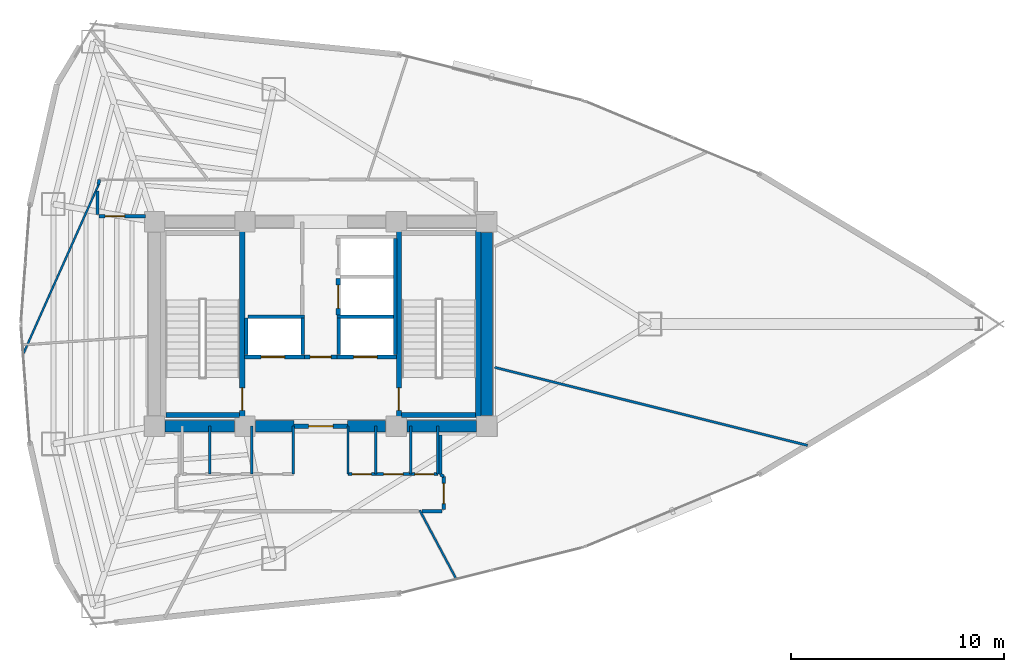
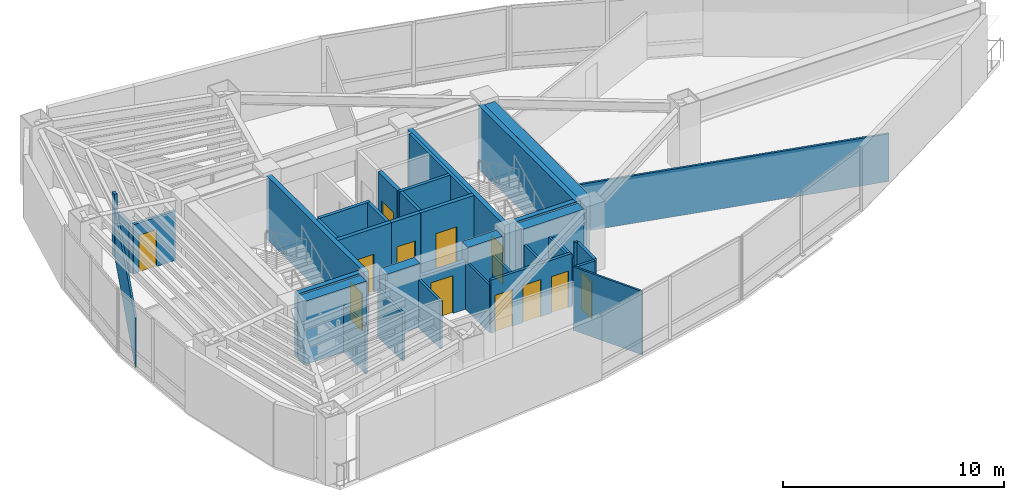
# One storey, part 14 of 18: 39 walls, 12 doors, 12 openings.
"""IFC4 building model written with IfcOpenShell, lengths in metres."""

from ifc_helpers import new_model, si_unit, direction, frame, frame_2d, origin, place, context, subcontext, project, spatial, rectangle, extrude, material, layer, layer_set, type_object, element, fill, save


model = new_model("IFC4")

# Units and contexts
model_context = context("Model", 3, precision=1e-05, world=origin(), true_north=direction((0.0, 1.0)))
body_context = subcontext(model_context, "Body", "Model", "MODEL_VIEW")
ifc_project = project(units=[si_unit("LENGTHUNIT", "METRE"), si_unit("AREAUNIT", "SQUARE_METRE"), si_unit("VOLUMEUNIT", "CUBIC_METRE"), si_unit("PLANEANGLEUNIT", "RADIAN"), si_unit("MASSUNIT", "GRAM", prefix="KILO")], contexts=[model_context])

# Site, building, storey
site_placement = place(None, origin())
site = spatial("IfcSite", under=ifc_project, at=site_placement, CompositionType="ELEMENT")
building_placement = place(site_placement, origin())
building = spatial("IfcBuilding", under=site, at=building_placement, Name="Menara Vayukalpa", CompositionType="ELEMENT")
storey_placement = place(building_placement, frame((0.0, 0.0, 161.760009765625)))
storey = spatial("IfcBuildingStorey", under=building, at=storey_placement, Name="L40", CompositionType="ELEMENT", Elevation=161.760009765625)

# Walls
ifc_material_1 = material(Name="Concrete C60/75", Category="concrete")
ifc_layer_1 = layer(ifc_material_1, 0.550048828125)
ifc_layer_set_1 = layer_set([ifc_layer_1], Name="Concrete C60/75")
wall_type_1 = type_object("IfcWallType", Name="WAL-CW550", PredefinedType="SHEAR", material=ifc_layer_set_1)
wall_1_placement = place(storey_placement, frame((18.294921875, 17.199951171875, 0.0), z_axis=(0.0, 0.0, 1.0), x_axis=(1.0, 0.0, 0.0)))
element("IfcWall", 1, at=wall_1_placement, inside=storey, type_object=wall_type_1, Name="L40 Buttressed Core Shear Wall CWS1", PredefinedType="SHEAR", context=body_context, shape_type="SweptSolid", body=[
    extrude(rectangle(XDim=3.260009765625, YDim=0.550048828125, at=frame_2d((1.6298828125, 0.0))), origin(), (0.0, 0.0, 1.0), 3.5),
])
wall_2_placement = place(storey_placement, frame((22.544921875, 17.199951171875, 0.0), z_axis=(0.0, 0.0, 1.0), x_axis=(1.0, 0.0, 0.0)))
element("IfcWall", 2, at=wall_2_placement, inside=storey, type_object=wall_type_1, Name="L40 Buttressed Core Shear Wall CWS2", PredefinedType="SHEAR", context=body_context, shape_type="SweptSolid", body=[
    extrude(rectangle(XDim=1.80517578125, YDim=0.550048828125, at=frame_2d((0.902587890625, 0.0))), origin(), (0.0, 0.0, 1.0), 3.5),
])
wall_3_placement = place(storey_placement, frame((26.85009765625, 17.199951171875, 0.0), z_axis=(0.0, 0.0, 1.0), x_axis=(1.0, 0.0, 0.0)))
element("IfcWall", 3, at=wall_3_placement, inside=storey, type_object=wall_type_1, Name="L40 Buttressed Core Shear Wall CWS3", PredefinedType="SHEAR", context=body_context, shape_type="SweptSolid", body=[
    extrude(rectangle(XDim=1.804931640625, YDim=0.550048828125, at=frame_2d((0.90234375, 0.0))), origin(), (0.0, 0.0, 1.0), 3.5),
])
wall_4_placement = place(storey_placement, frame((29.64501953125, 17.199951171875, 0.0), z_axis=(0.0, 0.0, 1.0), x_axis=(1.0, 0.0, 0.0)))
element("IfcWall", 4, at=wall_4_placement, inside=storey, type_object=wall_type_1, Name="L40 Buttressed Core Shear Wall CWS4", PredefinedType="SHEAR", context=body_context, shape_type="SweptSolid", body=[
    extrude(rectangle(XDim=3.260009765625, YDim=0.550048828125, at=frame_2d((1.6298828125, 0.0))), origin(), (0.0, 0.0, 1.0), 3.5),
])
wall_5_placement = place(storey_placement, frame((33.39990234375, 17.695068359375, 0.0), z_axis=(0.0, 0.0, 1.0), x_axis=(0.0, 1.0, 0.0)))
element("IfcWall", 5, at=wall_5_placement, inside=storey, type_object=wall_type_1, Name="L40 Buttressed Core Shear Wall CWE1", PredefinedType="SHEAR", context=body_context, shape_type="SweptSolid", body=[
    extrude(rectangle(XDim=8.60986328125, YDim=0.550048828125, at=frame_2d((4.304931640625, 0.0))), origin(), (0.0, 0.0, 1.0), 3.5),
])
ifc_material_2 = material(Name="Lightweight Concrete Blockwork C16/20", Category="masonry")
ifc_layer_2 = layer(ifc_material_2, 0.159912109375)
ifc_layer_set_2 = layer_set([ifc_layer_2], Name="Lightweight Concrete Blockwork C16/20")
wall_type_2 = type_object("IfcWallType", Name="WAL-FR150", PredefinedType="PARTITIONING", material=ifc_layer_set_2)
for number, where, z_axis, x_axis, name in (
    (6, (22.10498046875, 20.56005859375, 0.0), (0.0, 0.0, 1.0), (0.0, 1.0, 0.0), "L40 Interior Partition IW-L40-SHW-WW"),
    (7, (24.7548828125, 20.56005859375, 0.0), (0.0, 0.0, 1.0), (0.0, 1.0, 0.0), "L40 Interior Partition IW-L40-SHW-W1E"),
):
    element("IfcWall", number, at=place(storey_placement, frame(where, z_axis=z_axis, x_axis=x_axis)), inside=storey, type_object=wall_type_2, Name=name, PredefinedType="PARTITIONING", context=body_context, shape_type="SweptSolid", body=[
        extrude(rectangle(XDim=1.7099609375, YDim=0.159912109375, at=frame_2d((0.85498046875, 0.0))), origin(), (0.0, 0.0, 1.0), 3.5),
    ])
wall_6_placement = place(storey_placement, frame((22.179931640625, 22.344970703125, 0.0), z_axis=(0.0, 0.0, 1.0), x_axis=(1.0, 0.0, 0.0)))
element("IfcWall", 8, at=wall_6_placement, inside=storey, type_object=wall_type_2, Name="L40 Interior Partition IW-L40-SHM-W12", PredefinedType="PARTITIONING", context=body_context, shape_type="SweptSolid", body=[
    extrude(rectangle(XDim=2.650146484375, YDim=0.159912109375, at=frame_2d((1.3251953125, 0.0))), origin(), (0.0, 0.0, 1.0), 3.5),
])
wall_7_placement = place(storey_placement, frame((29.094970703125, 20.56005859375, 0.0), z_axis=(0.0, 0.0, 1.0), x_axis=(0.0, 1.0, 0.0)))
element("IfcWall", 9, at=wall_7_placement, inside=storey, type_object=wall_type_2, Name="L40 Interior Partition IW-L40-SHW-EE", PredefinedType="PARTITIONING", context=body_context, shape_type="SweptSolid", body=[
    extrude(rectangle(XDim=5.449951171875, YDim=0.159912109375, at=frame_2d((2.72509765625, 0.0))), origin(), (0.0, 0.0, 1.0), 3.5),
])
wall_8_placement = place(storey_placement, frame((26.445068359375, 20.56005859375, 0.0), z_axis=(0.0, 0.0, 1.0), x_axis=(0.0, 1.0, 0.0)))
element("IfcWall", 10, at=wall_8_placement, inside=storey, type_object=wall_type_2, Name="L40 Interior Partition IW-L40-SHW-E1W", PredefinedType="PARTITIONING", context=body_context, shape_type="SweptSolid", body=[
    extrude(rectangle(XDim=1.7099609375, YDim=0.159912109375, at=frame_2d((0.85498046875, 0.0))), origin(), (0.0, 0.0, 1.0), 3.5),
])
wall_9_placement = place(storey_placement, frame((26.3701171875, 22.344970703125, 0.0), z_axis=(0.0, 0.0, 1.0), x_axis=(1.0, 0.0, 0.0)))
element("IfcWall", 11, at=wall_9_placement, inside=storey, type_object=wall_type_2, Name="L40 Interior Partition IW-L40-SHM-E13", PredefinedType="PARTITIONING", context=body_context, shape_type="SweptSolid", body=[
    extrude(rectangle(XDim=2.64990234375, YDim=0.159912109375, at=frame_2d((1.324951171875, 0.0))), origin(), (0.0, 0.0, 1.0), 3.5),
])

# Wall, opening, door
ifc_material_3 = material(Name="Lightweight Concrete Blockwork C16/20", Category="masonry")
ifc_layer_3 = layer(ifc_material_3, 0.199951171875)
ifc_layer_set_3 = layer_set([ifc_layer_3], Name="Lightweight Concrete Blockwork C16/20")
wall_type_3 = type_object("IfcWallType", Name="WAL-FR200", PredefinedType="PARTITIONING", material=ifc_layer_set_3)
wall_10_placement = place(storey_placement, frame((24.35009765625, 17.199951171875, 0.0), z_axis=(0.0, 0.0, 1.0), x_axis=(1.0, 0.0, 0.0)))
wall_10 = element("IfcWall", 12, at=wall_10_placement, inside=storey, type_object=wall_type_3, Name="L40 Interior Partition IW-L40-FFLS", PredefinedType="PARTITIONING", context=body_context, shape_type="SweptSolid", body=[
    extrude(rectangle(XDim=2.5, YDim=0.199951171875, at=frame_2d((1.25, 0.0))), origin(), (0.0, 0.0, 1.0), 2.6298828125),
])
opening_1_placement = place(wall_10_placement, frame((0.679931640625, 0.0, 0.0)))
opening_1 = element("IfcOpeningElement", 13, at=opening_1_placement, cuts=wall_10, Name="Opening ID2", PredefinedType="OPENING", context=body_context, shape_type="SweptSolid", body=[
    extrude(rectangle(XDim=1.14990234375, YDim=2.080078125, at=frame_2d((0.574951171875, 1.0400390625))), frame((0.0, 0.10986328125, 0.0), z_axis=(0.0, -1.0, 0.0), x_axis=(1.0, 0.0, 0.0)), (0.0, 0.0, 1.0), 0.219970703125),
])
ifc_material_4 = material(Name="Fire-Rated Powder-Coated Steel Door", Category="steel")
door_type_1 = type_object("IfcDoorType", Name="DR-FD60W", OperationType="NOTDEFINED", PredefinedType="DOOR", material=ifc_material_4)
door_1_placement = place(opening_1_placement, origin())
door_1 = element("IfcDoor", 14, at=door_1_placement, inside=storey, type_object=door_type_1, Name="L40 Interior Door DR-L40-FFLS", OperationType="SINGLE_SWING_LEFT", OverallHeight=2.080078125, OverallWidth=1.14990234375, PredefinedType="DOOR", context=body_context, shape_type="SweptSolid", body=[
    extrude(rectangle(XDim=1.14990234375, YDim=2.080078125, at=frame_2d((0.574951171875, 1.0400390625))), frame((0.0, 0.02490234375, 0.0), z_axis=(0.0, -1.0, 0.0), x_axis=(1.0, 0.0, 0.0)), (0.0, 0.0, 1.0), 0.050048828125),
])
fill(opening_1, door_1)

wall_11_placement = place(storey_placement, frame((24.840087890625, 20.449951171875, 0.0), z_axis=(0.0, 0.0, 1.0), x_axis=(1.0, 0.0, 0.0)))
wall_11 = element("IfcWall", 15, at=wall_11_placement, inside=storey, type_object=wall_type_3, Name="L40 Interior Partition IW-L40-FFLN", PredefinedType="PARTITIONING", context=body_context, shape_type="SweptSolid", body=[
    extrude(rectangle(XDim=1.52001953125, YDim=0.199951171875, at=frame_2d((0.760009765625, 0.0))), origin(), (0.0, 0.0, 1.0), 3.5),
])
opening_2_placement = place(wall_11_placement, frame((0.27001953125, 0.0, 0.0)))
opening_2 = element("IfcOpeningElement", 16, at=opening_2_placement, cuts=wall_11, Name="Opening ID3", PredefinedType="OPENING", context=body_context, shape_type="SweptSolid", body=[
    extrude(rectangle(XDim=0.97998046875, YDim=2.06005859375, at=frame_2d((0.489990234375, 1.030029296875))), frame((0.0, 0.10986328125, 0.0), z_axis=(0.0, -1.0, 0.0), x_axis=(1.0, 0.0, 0.0)), (0.0, 0.0, 1.0), 0.219970703125),
])
ifc_material_5 = material(Name="Fire-Rated Powder-Coated Steel Door", Category="steel")
door_type_2 = type_object("IfcDoorType", Name="DR-FD60", OperationType="NOTDEFINED", PredefinedType="DOOR", material=ifc_material_5)
door_2_placement = place(opening_2_placement, origin())
door_2 = element("IfcDoor", 17, at=door_2_placement, inside=storey, type_object=door_type_2, Name="L40 Interior Door DR-L40-FFLN", OperationType="SINGLE_SWING_RIGHT", OverallHeight=2.06005859375, OverallWidth=0.97998046875, PredefinedType="DOOR", context=body_context, shape_type="SweptSolid", body=[
    extrude(rectangle(XDim=0.97998046875, YDim=2.06005859375, at=frame_2d((0.489990234375, 1.030029296875))), frame((0.0, 0.02490234375, 0.0), z_axis=(0.0, -1.0, 0.0), x_axis=(1.0, 0.0, 0.0)), (0.0, 0.0, 1.0), 0.050048828125),
])
fill(opening_2, door_2)

wall_12_placement = place(storey_placement, frame((22.030029296875, 20.449951171875, 0.0), z_axis=(0.0, 0.0, 1.0), x_axis=(1.0, 0.0, 0.0)))
wall_12 = element("IfcWall", 18, at=wall_12_placement, inside=storey, type_object=wall_type_3, Name="L40 Interior Partition IW-L40-SH-W1", PredefinedType="PARTITIONING", context=body_context, shape_type="SweptSolid", body=[
    extrude(rectangle(XDim=2.800048828125, YDim=0.199951171875, at=frame_2d((1.39990234375, 0.0))), origin(), (0.0, 0.0, 1.0), 3.5),
])
opening_3_placement = place(wall_12_placement, frame((0.780029296875, 0.0, 0.0)))
opening_3 = element("IfcOpeningElement", 19, at=opening_3_placement, cuts=wall_12, Name="Opening LD1", PredefinedType="OPENING", context=body_context, shape_type="SweptSolid", body=[
    extrude(rectangle(XDim=1.10009765625, YDim=2.080078125, at=frame_2d((0.550048828125, 1.0400390625))), frame((0.0, 0.10986328125, 0.0), z_axis=(0.0, -1.0, 0.0), x_axis=(1.0, 0.0, 0.0)), (0.0, 0.0, 1.0), 0.219970703125),
])
ifc_material_6 = material(Name="Brushed Stainless Steel 316 Lift Door", Category="steel")
door_type_3 = type_object("IfcDoorType", Name="DR-LD110", OperationType="NOTDEFINED", PredefinedType="DOOR", material=ifc_material_6)
door_3_placement = place(opening_3_placement, origin())
door_3 = element("IfcDoor", 20, at=door_3_placement, inside=storey, type_object=door_type_3, Name="L40 Interior Door DR-L40-LD-W1", OperationType="DOUBLE_DOOR_SLIDING", OverallHeight=2.080078125, OverallWidth=1.10009765625, PredefinedType="DOOR", context=body_context, shape_type="SweptSolid", body=[
    extrude(rectangle(XDim=1.10009765625, YDim=2.080078125, at=frame_2d((0.550048828125, 1.0400390625))), frame((0.0, 0.02490234375, 0.0), z_axis=(0.0, -1.0, 0.0), x_axis=(1.0, 0.0, 0.0)), (0.0, 0.0, 1.0), 0.050048828125),
])
fill(opening_3, door_3)

wall_13_placement = place(storey_placement, frame((26.3701171875, 20.449951171875, 0.0), z_axis=(0.0, 0.0, 1.0), x_axis=(1.0, 0.0, 0.0)))
wall_13 = element("IfcWall", 21, at=wall_13_placement, inside=storey, type_object=wall_type_3, Name="L40 Interior Partition IW-L40-SH-E1", PredefinedType="PARTITIONING", context=body_context, shape_type="SweptSolid", body=[
    extrude(rectangle(XDim=2.7998046875, YDim=0.199951171875, at=frame_2d((1.39990234375, 0.0))), origin(), (0.0, 0.0, 1.0), 3.5),
])
opening_4_placement = place(wall_13_placement, frame((0.780029296875, 0.0, 0.0)))
opening_4 = element("IfcOpeningElement", 22, at=opening_4_placement, cuts=wall_13, Name="Opening LD1", PredefinedType="OPENING", context=body_context, shape_type="SweptSolid", body=[
    extrude(rectangle(XDim=1.10009765625, YDim=2.080078125, at=frame_2d((0.550048828125, 1.0400390625))), frame((0.0, 0.10986328125, 0.0), z_axis=(0.0, -1.0, 0.0), x_axis=(1.0, 0.0, 0.0)), (0.0, 0.0, 1.0), 0.219970703125),
])
door_4_placement = place(opening_4_placement, origin())
door_4 = element("IfcDoor", 23, at=door_4_placement, inside=storey, type_object=door_type_3, Name="L40 Interior Door DR-L40-LD-E1", OperationType="DOUBLE_DOOR_SLIDING", OverallHeight=2.080078125, OverallWidth=1.10009765625, PredefinedType="DOOR", context=body_context, shape_type="SweptSolid", body=[
    extrude(rectangle(XDim=1.10009765625, YDim=2.080078125, at=frame_2d((0.550048828125, 1.0400390625))), frame((0.0, 0.02490234375, 0.0), z_axis=(0.0, -1.0, 0.0), x_axis=(1.0, 0.0, 0.0)), (0.0, 0.0, 1.0), 0.050048828125),
])
fill(opening_4, door_4)

wall_14_placement = place(storey_placement, frame((26.419921875, 22.419921875, 0.0), z_axis=(0.0, 0.0, 1.0), x_axis=(0.0, 1.0, 0.0)))
wall_14 = element("IfcWall", 24, at=wall_14_placement, inside=storey, type_object=wall_type_3, Name="L40 Interior Partition IW-L40-SH-E3", PredefinedType="PARTITIONING", context=body_context, shape_type="SweptSolid", body=[
    extrude(rectangle(XDim=1.719970703125, YDim=0.199951171875, at=frame_2d((0.85986328125, 0.0))), origin(), (0.0, 0.0, 1.0), 3.5),
])
opening_5_placement = place(wall_14_placement, frame((0.31005859375, 0.0, 0.0)))
opening_5 = element("IfcOpeningElement", 25, at=opening_5_placement, cuts=wall_14, Name="Opening LD1", PredefinedType="OPENING", context=body_context, shape_type="SweptSolid", body=[
    extrude(rectangle(XDim=1.10009765625, YDim=2.080078125, at=frame_2d((0.550048828125, 1.0400390625))), frame((0.0, 0.10986328125, 0.0), z_axis=(0.0, -1.0, 0.0), x_axis=(1.0, 0.0, 0.0)), (0.0, 0.0, 1.0), 0.219970703125),
])
door_5_placement = place(opening_5_placement, origin())
door_5 = element("IfcDoor", 26, at=door_5_placement, inside=storey, type_object=door_type_3, Name="L40 Interior Door DR-L40-LD-E3", OperationType="DOUBLE_DOOR_SLIDING", OverallHeight=2.080078125, OverallWidth=1.10009765625, PredefinedType="DOOR", context=body_context, shape_type="SweptSolid", body=[
    extrude(rectangle(XDim=1.10009765625, YDim=2.080078125, at=frame_2d((0.550048828125, 1.0400390625))), frame((0.0, 0.02490234375, 0.0), z_axis=(0.0, -1.0, 0.0), x_axis=(1.0, 0.0, 0.0)), (0.0, 0.0, 1.0), 0.050048828125),
])
fill(opening_5, door_5)

# Walls
ifc_material_7 = material(Name="Glazed Demountable Office Partition", Category="glass")
ifc_layer_4 = layer(ifc_material_7, 0.094970703125)
ifc_layer_set_4 = layer_set([ifc_layer_4], Name="Glazed Demountable Office Partition")
wall_type_4 = type_object("IfcWallType", Name="WAL-PT100", PredefinedType="PARTITIONING", material=ifc_layer_set_4)
wall_15_placement = place(storey_placement, frame((30.2470703125, 13.260009765625, 0.0), z_axis=(0.0, 0.0, 1.0), x_axis=(0.469475406562, -0.882945549076, 0.0)))
element("IfcWall", 27, at=wall_15_placement, inside=storey, type_object=wall_type_4, Name="L40 Interior Partition IW-L40-RDIV06", PredefinedType="PARTITIONING", context=body_context, shape_type="SweptSolid", body=[
    extrude(rectangle(XDim=3.67919921875, YDim=0.094970703125, at=frame_2d((1.839599609375, 0.0))), origin(), (0.0, 0.0, 1.0), 3.5),
])
wall_16_placement = place(storey_placement, frame((15.169921875, 28.531005859375, 0.0), z_axis=(0.0, 0.0, 1.0), x_axis=(-0.406717829794, -0.913553833623, 0.0)))
element("IfcWall", 28, at=wall_16_placement, inside=storey, type_object=wall_type_4, Name="L40 Interior Partition IW-L40-RDIV08", PredefinedType="PARTITIONING", context=body_context, shape_type="SweptSolid", body=[
    extrude(rectangle(XDim=8.7177734375, YDim=0.094970703125, at=frame_2d((4.35888671875, 0.0))), origin(), (0.0, 0.0, 1.0), 2.72998046875),
])
ifc_material_8 = material(Name="Acoustic Mineral Stud Partition", Category="masonry")
ifc_layer_5 = layer(ifc_material_8, 0.110107421875)
ifc_layer_set_5 = layer_set([ifc_layer_5], Name="Acoustic Mineral Stud Partition")
wall_type_5 = type_object("IfcWallType", Name="WAL-PT110", PredefinedType="PARTITIONING", material=ifc_layer_set_5)
for number, where, z_axis, x_axis, name in (
    (29, (20.39990234375, 14.949951171875, 0.0), (0.0, 0.0, 1.0), (0.0, 1.0, 0.0), "L40 Interior Partition IW-L40-SVCD-02"),
    (30, (26.8798828125, 14.949951171875, 0.0), (0.0, 0.0, 1.0), (0.0, 1.0, 0.0), "L40 Interior Partition IW-L40-SVCD-05"),
    (31, (31.10009765625, 14.949951171875, 0.0), (0.0, 0.0, 1.0), (0.0, 1.0, 0.0), "L40 Interior Partition IW-L40-SVCD-08"),
):
    element("IfcWall", number, at=place(storey_placement, frame(where, z_axis=z_axis, x_axis=x_axis)), inside=storey, type_object=wall_type_5, Name=name, PredefinedType="PARTITIONING", context=body_context, shape_type="SweptSolid", body=[
        extrude(rectangle(XDim=2.25, YDim=0.110107421875, at=frame_2d((1.125, 0.0))), origin(), (0.0, 0.0, 1.0), 2.6298828125),
    ])
wall_17_placement = place(storey_placement, frame((33.77001953125, 19.962890625, 0.0), z_axis=(0.0, 0.0, 1.0), x_axis=(0.970295996232, -0.241920812863, 0.0)))
element("IfcWall", 32, at=wall_17_placement, inside=storey, type_object=wall_type_5, Name="L40 Interior Partition IW-L40-RDIV07", PredefinedType="PARTITIONING", context=body_context, shape_type="SweptSolid", body=[
    extrude(rectangle(XDim=15.1376953125, YDim=0.110107421875, at=frame_2d((7.56884765625, 0.0))), origin(), (0.0, 0.0, 1.0), 2.6298828125),
])
ifc_material_9 = material(Name="Gypsum Drywall Steel Stud Assembly", Category="steel")
ifc_layer_6 = layer(ifc_material_9, 0.125)
ifc_layer_set_6 = layer_set([ifc_layer_6], Name="Gypsum Drywall Steel Stud Assembly")
wall_type_6 = type_object("IfcWallType", Name="WAL-PT125", PredefinedType="PARTITIONING", material=ifc_layer_set_6)
for number, where, z_axis, x_axis, name in (
    (33, (22.360107421875, 14.949951171875, 0.0), (0.0, 0.0, 1.0), (0.0, 1.0, 0.0), "L40 Interior Partition IW-L40-SVCD-03"),
    (34, (24.320068359375, 14.949951171875, 0.0), (0.0, 0.0, 1.0), (0.0, 1.0, 0.0), "L40 Interior Partition IW-L40-SVCD-04"),
    (35, (28.18994140625, 14.949951171875, 0.0), (0.0, 0.0, 1.0), (0.0, 1.0, 0.0), "L40 Interior Partition IW-L40-SVCD-06"),
    (36, (29.830078125, 14.949951171875, 0.0), (0.0, 0.0, 1.0), (0.0, 1.0, 0.0), "L40 Interior Partition IW-L40-SVCD-07"),
):
    element("IfcWall", number, at=place(storey_placement, frame(where, z_axis=z_axis, x_axis=x_axis)), inside=storey, type_object=wall_type_6, Name=name, PredefinedType="PARTITIONING", context=body_context, shape_type="SweptSolid", body=[
        extrude(rectangle(XDim=2.25, YDim=0.125, at=frame_2d((1.125, 0.0))), origin(), (0.0, 0.0, 1.0), 2.6298828125),
    ])

# Wall, openings, doors
ifc_material_10 = material(Name="Gypsum Drywall Acoustic Stud Assembly", Category="masonry")
ifc_layer_7 = layer(ifc_material_10, 0.14501953125)
ifc_layer_set_7 = layer_set([ifc_layer_7], Name="Gypsum Drywall Acoustic Stud Assembly")
wall_type_7 = type_object("IfcWallType", Name="WAL-PT150", PredefinedType="PARTITIONING", material=ifc_layer_set_7)
wall_18_placement = place(storey_placement, frame((26.8798828125, 14.949951171875, 0.0), z_axis=(0.0, 0.0, 1.0), x_axis=(1.0, 0.0, 0.0)))
wall_18 = element("IfcWall", 37, at=wall_18_placement, inside=storey, type_object=wall_type_7, Name="L40 Interior Partition IW-L40-SVCS-E", PredefinedType="PARTITIONING", context=body_context, shape_type="SweptSolid", body=[
    extrude(rectangle(XDim=4.22021484375, YDim=0.14501953125, at=frame_2d((2.110107421875, 0.0))), origin(), (0.0, 0.0, 1.0), 2.929931640625),
])
opening_6_placement = place(wall_18_placement, frame((0.199951171875, 0.0, 0.0)))
opening_6 = element("IfcOpeningElement", 38, at=opening_6_placement, cuts=wall_18, Name="Opening ID7", PredefinedType="OPENING", context=body_context, shape_type="SweptSolid", body=[
    extrude(rectangle(XDim=0.89990234375, YDim=2.02001953125, at=frame_2d((0.449951171875, 1.010009765625))), frame((0.0, 0.08251953125, 0.0), z_axis=(0.0, -1.0, 0.0), x_axis=(1.0, 0.0, 0.0)), (0.0, 0.0, 1.0), 0.1650390625),
])
opening_7_placement = place(wall_18_placement, frame((1.669921875, 0.0, 0.0)))
opening_7 = element("IfcOpeningElement", 39, at=opening_7_placement, cuts=wall_18, Name="Opening ID6", PredefinedType="OPENING", context=body_context, shape_type="SweptSolid", body=[
    extrude(rectangle(XDim=0.919921875, YDim=2.050048828125, at=frame_2d((0.4599609375, 1.02490234375))), frame((0.0, 0.08251953125, 0.0), z_axis=(0.0, -1.0, 0.0), x_axis=(1.0, 0.0, 0.0)), (0.0, 0.0, 1.0), 0.1650390625),
])
opening_8_placement = place(wall_18_placement, frame((3.139892578125, 0.0, 0.0)))
opening_8 = element("IfcOpeningElement", 40, at=opening_8_placement, cuts=wall_18, Name="Opening ID7", PredefinedType="OPENING", context=body_context, shape_type="SweptSolid", body=[
    extrude(rectangle(XDim=0.89990234375, YDim=2.02001953125, at=frame_2d((0.449951171875, 1.010009765625))), frame((0.0, 0.08251953125, 0.0), z_axis=(0.0, -1.0, 0.0), x_axis=(1.0, 0.0, 0.0)), (0.0, 0.0, 1.0), 0.1650390625),
])
ifc_material_11 = material(Name="Acoustic Hardwood Veneer Timber Door", Category="wood")
door_type_4 = type_object("IfcDoorType", Name="DR-INT92", OperationType="NOTDEFINED", PredefinedType="DOOR", material=ifc_material_11)
door_6_placement = place(opening_7_placement, origin())
door_6 = element("IfcDoor", 41, at=door_6_placement, inside=storey, type_object=door_type_4, Name="L40 Interior Door DR-L40-KSV2", OperationType="SINGLE_SWING_RIGHT", OverallHeight=2.050048828125, OverallWidth=0.919921875, PredefinedType="DOOR", context=body_context, shape_type="SweptSolid", body=[
    extrude(rectangle(XDim=0.919921875, YDim=2.050048828125, at=frame_2d((0.4599609375, 1.02490234375))), frame((0.0, 0.02490234375, 0.0), z_axis=(0.0, -1.0, 0.0), x_axis=(1.0, 0.0, 0.0)), (0.0, 0.0, 1.0), 0.050048828125),
])
fill(opening_7, door_6)
ifc_material_12 = material(Name="Powder-Coated Steel Riser Access Door", Category="steel")
door_type_5 = type_object("IfcDoorType", Name="DR-RISER", OperationType="NOTDEFINED", PredefinedType="DOOR", material=ifc_material_12)
door_7_placement = place(opening_6_placement, origin())
door_7 = element("IfcDoor", 42, at=door_7_placement, inside=storey, type_object=door_type_5, Name="L40 Interior Door DR-L40-KSV1", OperationType="SINGLE_SWING_LEFT", OverallHeight=2.02001953125, OverallWidth=0.89990234375, PredefinedType="DOOR", context=body_context, shape_type="SweptSolid", body=[
    extrude(rectangle(XDim=0.89990234375, YDim=2.02001953125, at=frame_2d((0.449951171875, 1.010009765625))), frame((0.0, 0.02490234375, 0.0), z_axis=(0.0, -1.0, 0.0), x_axis=(1.0, 0.0, 0.0)), (0.0, 0.0, 1.0), 0.050048828125),
])
fill(opening_6, door_7)
door_8_placement = place(opening_8_placement, origin())
door_8 = element("IfcDoor", 43, at=door_8_placement, inside=storey, type_object=door_type_5, Name="L40 Interior Door DR-L40-SMD", OperationType="SINGLE_SWING_LEFT", OverallHeight=2.02001953125, OverallWidth=0.89990234375, PredefinedType="DOOR", context=body_context, shape_type="SweptSolid", body=[
    extrude(rectangle(XDim=0.89990234375, YDim=2.02001953125, at=frame_2d((0.449951171875, 1.010009765625))), frame((0.0, 0.02490234375, 0.0), z_axis=(0.0, -1.0, 0.0), x_axis=(1.0, 0.0, 0.0)), (0.0, 0.0, 1.0), 0.050048828125),
])
fill(opening_8, door_8)

# Wall
wall_19_placement = place(storey_placement, frame((30.35302734375, 13.2099609375, 0.0), z_axis=(0.0, 0.0, 1.0), x_axis=(1.0, 0.0, 0.0)))
element("IfcWall", 44, at=wall_19_placement, inside=storey, type_object=wall_type_7, Name="L40 Interior Partition IW-L40-CRM03-1", PredefinedType="PARTITIONING", context=body_context, shape_type="SweptSolid", body=[
    extrude(rectangle(XDim=0.947021484375, YDim=0.14501953125, at=frame_2d((0.4736328125, 0.0))), origin(), (0.0, 0.0, 1.0), 3.5),
])

# Wall, opening, door
wall_20_placement = place(storey_placement, frame((31.3798828125, 13.2900390625, 0.0), z_axis=(0.0, 0.0, 1.0), x_axis=(0.0, 1.0, 0.0)))
wall_20 = element("IfcWall", 45, at=wall_20_placement, inside=storey, type_object=wall_type_7, Name="L40 Interior Partition IW-L40-CRM03-2", PredefinedType="PARTITIONING", context=body_context, shape_type="SweptSolid", body=[
    extrude(rectangle(XDim=1.56005859375, YDim=0.14501953125, at=frame_2d((0.780029296875, 0.0))), origin(), (0.0, 0.0, 1.0), 3.5),
])
opening_9_placement = place(wall_20_placement, frame((0.280029296875, 0.0, 0.0)))
opening_9 = element("IfcOpeningElement", 46, at=opening_9_placement, cuts=wall_20, Name="Opening ID5", PredefinedType="OPENING", context=body_context, shape_type="SweptSolid", body=[
    extrude(rectangle(XDim=0.949951171875, YDim=2.06005859375, at=frame_2d((0.47509765625, 1.030029296875))), frame((0.0, 0.08251953125, 0.0), z_axis=(0.0, -1.0, 0.0), x_axis=(1.0, 0.0, 0.0)), (0.0, 0.0, 1.0), 0.1650390625),
])
ifc_material_13 = material(Name="Acoustic Hardwood Veneer Timber Door", Category="wood")
door_type_6 = type_object("IfcDoorType", Name="DR-INT95", OperationType="NOTDEFINED", PredefinedType="DOOR", material=ifc_material_13)
door_9_placement = place(opening_9_placement, origin())
door_9 = element("IfcDoor", 47, at=door_9_placement, inside=storey, type_object=door_type_6, Name="L40 Interior Door DR-L40-RM03", OperationType="SINGLE_SWING_RIGHT", OverallHeight=2.06005859375, OverallWidth=0.949951171875, PredefinedType="DOOR", context=body_context, shape_type="SweptSolid", body=[
    extrude(rectangle(XDim=0.949951171875, YDim=2.06005859375, at=frame_2d((0.47509765625, 1.030029296875))), frame((0.0, 0.02490234375, 0.0), z_axis=(0.0, -1.0, 0.0), x_axis=(1.0, 0.0, 0.0)), (0.0, 0.0, 1.0), 0.050048828125),
])
fill(opening_9, door_9)

# Wall
wall_21_placement = place(storey_placement, frame((31.219970703125, 14.929931640625, 0.0), z_axis=(0.0, 0.0, 1.0), x_axis=(0.0, 1.0, 0.0)))
element("IfcWall", 48, at=wall_21_placement, inside=storey, type_object=wall_type_7, Name="L40 Interior Partition IW-L40-CRM03-3", PredefinedType="PARTITIONING", context=body_context, shape_type="SweptSolid", body=[
    extrude(rectangle(XDim=1.85009765625, YDim=0.14501953125, at=frame_2d((0.925048828125, 0.0))), origin(), (0.0, 0.0, 1.0), 2.6298828125),
])

# Wall, opening, door
wall_22_placement = place(storey_placement, frame((15.199951171875, 27.06005859375, 0.0), z_axis=(0.0, 0.0, 1.0), x_axis=(1.0, 0.0, 0.0)))
wall_22 = element("IfcWall", 49, at=wall_22_placement, inside=storey, type_object=wall_type_7, Name="L40 Interior Partition IW-L40-CRM08-1", PredefinedType="PARTITIONING", context=body_context, shape_type="SweptSolid", body=[
    extrude(rectangle(XDim=2.179931640625, YDim=0.14501953125, at=frame_2d((1.08984375, 0.0))), origin(), (0.0, 0.0, 1.0), 2.72998046875),
])
opening_10_placement = place(wall_22_placement, frame((0.280029296875, 0.0, 0.0)))
opening_10 = element("IfcOpeningElement", 50, at=opening_10_placement, cuts=wall_22, Name="Opening ID6", PredefinedType="OPENING", context=body_context, shape_type="SweptSolid", body=[
    extrude(rectangle(XDim=0.919921875, YDim=2.050048828125, at=frame_2d((0.4599609375, 1.02490234375))), frame((0.0, 0.08251953125, 0.0), z_axis=(0.0, -1.0, 0.0), x_axis=(1.0, 0.0, 0.0)), (0.0, 0.0, 1.0), 0.1650390625),
])
door_10_placement = place(opening_10_placement, origin())
door_10 = element("IfcDoor", 51, at=door_10_placement, inside=storey, type_object=door_type_4, Name="L40 Interior Door DR-L40-RM08", OperationType="SINGLE_SWING_RIGHT", OverallHeight=2.050048828125, OverallWidth=0.919921875, PredefinedType="DOOR", context=body_context, shape_type="SweptSolid", body=[
    extrude(rectangle(XDim=0.919921875, YDim=2.050048828125, at=frame_2d((0.4599609375, 1.02490234375))), frame((0.0, 0.02490234375, 0.0), z_axis=(0.0, -1.0, 0.0), x_axis=(1.0, 0.0, 0.0)), (0.0, 0.0, 1.0), 0.050048828125),
])
fill(opening_10, door_10)

# Walls
wall_23_placement = place(storey_placement, frame((15.1201171875, 28.24658203125, 0.0), z_axis=(0.0, 0.0, 1.0), x_axis=(0.0, -1.0, 0.0)))
element("IfcWall", 52, at=wall_23_placement, inside=storey, type_object=wall_type_7, Name="L40 Interior Partition IW-L40-CRM08-2", PredefinedType="PARTITIONING", context=body_context, shape_type="SweptSolid", body=[
    extrude(rectangle(XDim=1.106689453125, YDim=0.14501953125, at=frame_2d((0.55322265625, 0.0))), origin(), (0.0, 0.0, 1.0), 2.72998046875),
])
wall_24_placement = place(storey_placement, frame((31.3798828125, 14.85009765625, 0.0), z_axis=(0.0, 0.0, 1.0), x_axis=(-0.89470021502, 0.446667130247, 0.0)))
element("IfcWall", 53, at=wall_24_placement, inside=storey, type_object=wall_type_7, Name="L40 Interior Partition IW-L40-CRM03-2-R1", PredefinedType="PARTITIONING", context=body_context, shape_type="SweptSolid", body=[
    extrude(rectangle(XDim=0.1787109375, YDim=0.14501953125, at=frame_2d((0.08935546875, 0.0))), origin(), (0.0, 0.0, 1.0), 3.5),
])
wall_25_placement = place(storey_placement, frame((15.199951171875, 28.780029296875, 0.0), z_axis=(0.0, 0.0, 1.0), x_axis=(-0.119720914767, -0.992807585873, 0.0)))
element("IfcWall", 54, at=wall_25_placement, inside=storey, type_object=wall_type_7, Name="L40 Interior Partition IW-L40-CRM07-1-R1", PredefinedType="PARTITIONING", context=body_context, shape_type="SweptSolid", body=[
    extrude(rectangle(XDim=0.250732421875, YDim=0.14501953125, at=frame_2d((0.12548828125, 0.0))), origin(), (0.0, 0.0, 1.0), 3.5),
])

# Wall, opening, door
ifc_material_14 = material(Name="Concrete C50/60", Category="concrete")
ifc_layer_8 = layer(ifc_material_14, 0.25)
ifc_layer_set_8 = layer_set([ifc_layer_8], Name="Concrete C50/60")
wall_type_8 = type_object("IfcWallType", Name="WAL-SW250", PredefinedType="SHEAR", material=ifc_layer_set_8)
wall_26_placement = place(storey_placement, frame((21.925048828125, 17.60009765625, 0.0), z_axis=(0.0, 0.0, 1.0), x_axis=(0.0, 1.0, 0.0)))
wall_26 = element("IfcWall", 55, at=wall_26_placement, inside=storey, type_object=wall_type_8, Name="L40 ST1 Structural Stair Shaft Wall E", PredefinedType="SHEAR", context=body_context, shape_type="SweptSolid", body=[
    extrude(rectangle(XDim=8.7998046875, YDim=0.25, at=frame_2d((4.39990234375, 0.0))), origin(), (0.0, 0.0, 1.0), 3.5),
])
opening_11_placement = place(wall_26_placement, frame((0.35009765625, 0.0, 0.0)))
opening_11 = element("IfcOpeningElement", 56, at=opening_11_placement, cuts=wall_26, Name="Opening ID1", PredefinedType="OPENING", context=body_context, shape_type="SweptSolid", body=[
    extrude(rectangle(XDim=1.050048828125, YDim=2.080078125, at=frame_2d((0.52490234375, 1.0400390625))), frame((0.0, 0.135009765625, 0.0), z_axis=(0.0, -1.0, 0.0), x_axis=(1.0, 0.0, 0.0)), (0.0, 0.0, 1.0), 0.27001953125),
])
ifc_material_15 = material(Name="Fire-Rated Powder-Coated Steel Door", Category="steel")
door_type_7 = type_object("IfcDoorType", Name="DR-FD120", OperationType="NOTDEFINED", PredefinedType="DOOR", material=ifc_material_15)
door_11_placement = place(opening_11_placement, origin())
door_11 = element("IfcDoor", 57, at=door_11_placement, inside=storey, type_object=door_type_7, Name="L40 Stair Exit Door DR-L40-ST1", OperationType="SINGLE_SWING_LEFT", OverallHeight=2.080078125, OverallWidth=1.050048828125, PredefinedType="DOOR", context=body_context, shape_type="SweptSolid", body=[
    extrude(rectangle(XDim=1.050048828125, YDim=2.080078125, at=frame_2d((0.52490234375, 1.0400390625))), frame((0.0, 0.02490234375, 0.0), z_axis=(0.0, -1.0, 0.0), x_axis=(1.0, 0.0, 0.0)), (0.0, 0.0, 1.0), 0.050048828125),
])
fill(opening_11, door_11)

# Wall
wall_27_placement = place(storey_placement, frame((18.3291015625, 17.72509765625, 0.0), z_axis=(0.0, 0.0, 1.0), x_axis=(1.0, 0.0, 0.0)))
element("IfcWall", 58, at=wall_27_placement, inside=storey, type_object=wall_type_8, Name="L40 ST1 Structural Stair Shaft Wall S", PredefinedType="SHEAR", context=body_context, shape_type="SweptSolid", body=[
    extrude(rectangle(XDim=3.470947265625, YDim=0.25, at=frame_2d((1.7353515625, 0.0))), origin(), (0.0, 0.0, 1.0), 3.5),
])

# Wall, opening, door
wall_28_placement = place(storey_placement, frame((29.27490234375, 17.60009765625, 0.0), z_axis=(0.0, 0.0, 1.0), x_axis=(0.0, 1.0, 0.0)))
wall_28 = element("IfcWall", 59, at=wall_28_placement, inside=storey, type_object=wall_type_8, Name="L40 ST2 Structural Stair Shaft Wall W", PredefinedType="SHEAR", context=body_context, shape_type="SweptSolid", body=[
    extrude(rectangle(XDim=8.7998046875, YDim=0.25, at=frame_2d((4.39990234375, 0.0))), origin(), (0.0, 0.0, 1.0), 3.5),
])
opening_12_placement = place(wall_28_placement, frame((0.35009765625, 0.0, 0.0)))
opening_12 = element("IfcOpeningElement", 60, at=opening_12_placement, cuts=wall_28, Name="Opening ID1", PredefinedType="OPENING", context=body_context, shape_type="SweptSolid", body=[
    extrude(rectangle(XDim=1.050048828125, YDim=2.080078125, at=frame_2d((0.52490234375, 1.0400390625))), frame((0.0, 0.135009765625, 0.0), z_axis=(0.0, -1.0, 0.0), x_axis=(1.0, 0.0, 0.0)), (0.0, 0.0, 1.0), 0.27001953125),
])
door_12_placement = place(opening_12_placement, origin())
door_12 = element("IfcDoor", 61, at=door_12_placement, inside=storey, type_object=door_type_7, Name="L40 Stair Exit Door DR-L40-ST2", OperationType="SINGLE_SWING_RIGHT", OverallHeight=2.080078125, OverallWidth=1.050048828125, PredefinedType="DOOR", context=body_context, shape_type="SweptSolid", body=[
    extrude(rectangle(XDim=1.050048828125, YDim=2.080078125, at=frame_2d((0.52490234375, 1.0400390625))), frame((0.0, 0.02490234375, 0.0), z_axis=(0.0, -1.0, 0.0), x_axis=(1.0, 0.0, 0.0)), (0.0, 0.0, 1.0), 0.050048828125),
])
fill(opening_12, door_12)

# Walls
wall_29_placement = place(storey_placement, frame((32.99609375, 17.60009765625, 0.0), z_axis=(0.0, 0.0, 1.0), x_axis=(0.0, 1.0, 0.0)))
element("IfcWall", 62, at=wall_29_placement, inside=storey, type_object=wall_type_8, Name="L40 ST2 Structural Stair Shaft Wall E", PredefinedType="SHEAR", context=body_context, shape_type="SweptSolid", body=[
    extrude(rectangle(XDim=8.7998046875, YDim=0.25, at=frame_2d((4.39990234375, 0.0))), origin(), (0.0, 0.0, 1.0), 3.5),
])
wall_30_placement = place(storey_placement, frame((29.39990234375, 17.72509765625, 0.0), z_axis=(0.0, 0.0, 1.0), x_axis=(1.0, 0.0, 0.0)))
element("IfcWall", 63, at=wall_30_placement, inside=storey, type_object=wall_type_8, Name="L40 ST2 Structural Stair Shaft Wall S", PredefinedType="SHEAR", context=body_context, shape_type="SweptSolid", body=[
    extrude(rectangle(XDim=3.47119140625, YDim=0.25, at=frame_2d((1.735595703125, 0.0))), origin(), (0.0, 0.0, 1.0), 3.5),
])

save(model, "model.ifc")
